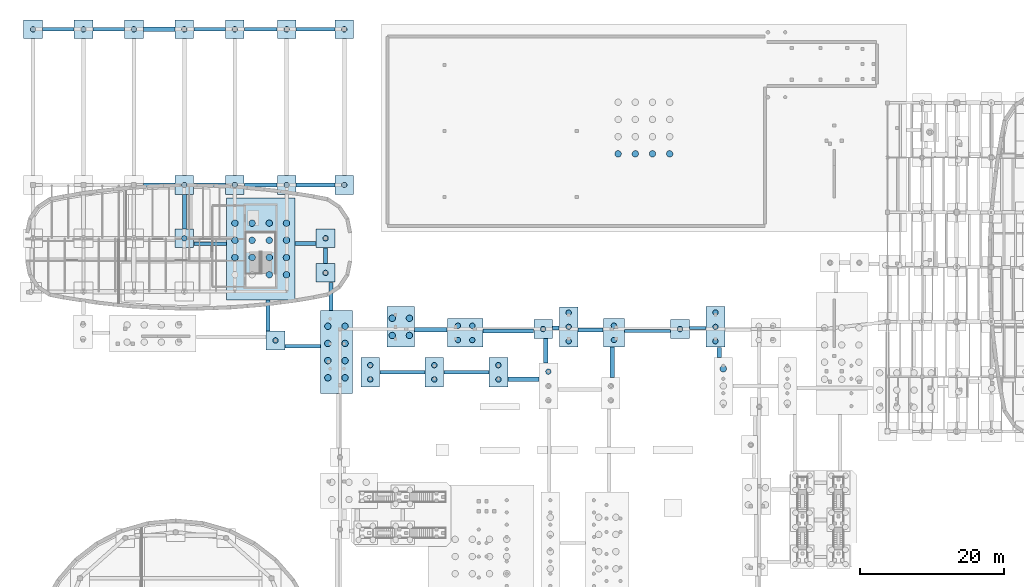
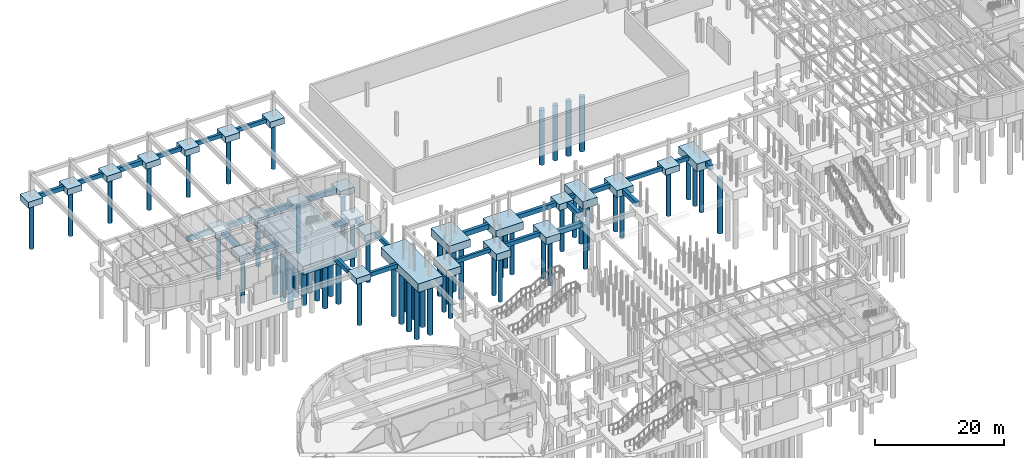
# One storey, part 5 of 45: 67 piles, 56 footings.
"""IFC4 building model written with IfcOpenShell, lengths in metres."""

from ifc_helpers import new_model, si_unit, direction, frame, origin, origin_2d, place, context, subcontext, project, spatial, rectangle, circle, extrude, material, material_profile, profile_set, type_object, element, save


model = new_model("IFC4")

# Units and contexts
model_context = context("Model", 3, precision=1e-05, world=origin(), true_north=direction((0.0, 1.0)))
body_context = subcontext(model_context, "Body", "Model", "MODEL_VIEW")
ifc_project = project(units=[si_unit("LENGTHUNIT", "METRE"), si_unit("AREAUNIT", "SQUARE_METRE"), si_unit("VOLUMEUNIT", "CUBIC_METRE"), si_unit("PLANEANGLEUNIT", "RADIAN"), si_unit("MASSUNIT", "GRAM", prefix="KILO")], contexts=[model_context])

# Site, building, storey
site_placement = place(None, origin())
site = spatial("IfcSite", under=ifc_project, at=site_placement, CompositionType="ELEMENT")
building_placement = place(site_placement, origin())
building = spatial("IfcBuilding", under=site, at=building_placement, Name="Corveleigh Park Community Centre", CompositionType="ELEMENT")
storey_placement = place(building_placement, frame((0.0, 0.0, -4.199951171875)))
storey = spatial("IfcBuildingStorey", under=building, at=storey_placement, Name="B1", CompositionType="ELEMENT", Elevation=-4.199951171875)

# Footings
ifc_material_1 = material(Name="Concrete C40/50", Category="concrete")
footing_type_1 = type_object("IfcFootingType", Name="FTG-GB-450x750", PredefinedType="FOOTING_BEAM", material=ifc_material_1)
for number, where, z_axis, x_axis, name in (
    (1, (21.699951171875, 114.39990234375, -1.1650390625), (0.0, 0.0, 1.0), (1.0, 0.0, 0.0), "Ground tie beam 21"),
    (2, (35.699951171875, 114.39990234375, -1.1650390625), (0.0, 0.0, 1.0), (1.0, 0.0, 0.0), "Ground tie beam 41"),
):
    element("IfcFooting", number, at=place(storey_placement, frame(where, z_axis=z_axis, x_axis=x_axis)), inside=storey, type_object=footing_type_1, Name=name, PredefinedType="FOOTING_BEAM", context=body_context, shape_type="SweptSolid", body=[
        extrude(rectangle(XDim=4.360107421875, YDim=0.449951171875, at=origin_2d()), origin(), (0.0, 0.0, 1.0), 0.75),
    ])
footing_1_placement = place(storey_placement, frame((42.800048828125, 114.39990234375, -1.1650390625), z_axis=(0.0, 0.0, 1.0), x_axis=(1.0, 0.0, 0.0)))
element("IfcFooting", 3, at=footing_1_placement, inside=storey, type_object=footing_type_1, Name="Ground tie beam 45", PredefinedType="FOOTING_BEAM", context=body_context, shape_type="SweptSolid", body=[
    extrude(rectangle(XDim=4.56005859375, YDim=0.449951171875, at=origin_2d()), origin(), (0.0, 0.0, 1.0), 0.75),
])
footing_2_placement = place(storey_placement, frame((50.39990234375, 114.39990234375, -1.1650390625), z_axis=(0.0, 0.0, 1.0), x_axis=(1.0, 0.0, 0.0)))
element("IfcFooting", 4, at=footing_2_placement, inside=storey, type_object=footing_type_1, Name="Ground tie beam 53", PredefinedType="FOOTING_BEAM", context=body_context, shape_type="SweptSolid", body=[
    extrude(rectangle(XDim=5.360107421875, YDim=0.449951171875, at=origin_2d()), origin(), (0.0, 0.0, 1.0), 0.75),
])
footing_3_placement = place(storey_placement, frame((62.4541015625, 66.800048828125, -1.1650390625), z_axis=(0.0, 0.0, 1.0), x_axis=(1.0, 0.0, 0.0)))
element("IfcFooting", 5, at=footing_3_placement, inside=storey, type_object=footing_type_1, Name="Ground tie beam 73", PredefinedType="FOOTING_BEAM", context=body_context, shape_type="SweptSolid", body=[
    extrude(rectangle(XDim=6.251953125, YDim=0.449951171875, at=origin_2d()), origin(), (0.0, 0.0, 1.0), 0.75),
])
footing_4_placement = place(storey_placement, frame((96.5, 72.5380859375, -1.1650390625), z_axis=(0.0, 0.0, 1.0), x_axis=(1.0, 0.0, 0.0)))
element("IfcFooting", 6, at=footing_4_placement, inside=storey, type_object=footing_type_1, Name="Ground tie beam 117", PredefinedType="FOOTING_BEAM", context=body_context, shape_type="SweptSolid", body=[
    extrude(rectangle(XDim=6.360107421875, YDim=0.449951171875, at=origin_2d()), origin(), (0.0, 0.0, 1.0), 0.75),
])
footing_5_placement = place(storey_placement, frame((103.458984375, 72.950927734375, -1.1650390625), z_axis=(0.0, 0.0, 1.0), x_axis=(1.0, 0.0, 0.0)))
element("IfcFooting", 7, at=footing_5_placement, inside=storey, type_object=footing_type_1, Name="Ground tie beam 125", PredefinedType="FOOTING_BEAM", context=body_context, shape_type="SweptSolid", body=[
    extrude(rectangle(XDim=2.279052734375, YDim=0.449951171875, at=origin_2d()), origin(), (0.0, 0.0, 1.0), 0.75),
])
footing_type_2 = type_object("IfcFootingType", Name="FTG-GB-500x800", PredefinedType="FOOTING_BEAM", material=ifc_material_1)
footing_6_placement = place(storey_placement, frame((14.699951171875, 114.39990234375, -1.21484375), z_axis=(0.0, 0.0, 1.0), x_axis=(1.0, 0.0, 0.0)))
element("IfcFooting", 8, at=footing_6_placement, inside=storey, type_object=footing_type_2, Name="Ground tie beam 6", PredefinedType="FOOTING_BEAM", context=body_context, shape_type="SweptSolid", body=[
    extrude(rectangle(XDim=4.360107421875, YDim=0.5, at=origin_2d()), origin(), (0.0, 0.0, 1.0), 0.800048828125),
])
footing_7_placement = place(storey_placement, frame((35.77490234375, 84.662109375, -1.21484375), z_axis=(0.0, 0.0, 1.0), x_axis=(1.0, 0.0, 0.0)))
element("IfcFooting", 9, at=footing_7_placement, inside=storey, type_object=footing_type_2, Name="Ground tie beam 38", PredefinedType="FOOTING_BEAM", context=body_context, shape_type="SweptSolid", body=[
    extrude(rectangle(XDim=4.510009765625, YDim=0.5, at=origin_2d()), origin(), (0.0, 0.0, 1.0), 0.800048828125),
])
footing_8_placement = place(storey_placement, frame((48.635986328125, 70.41796875, -1.21484375), z_axis=(0.0, 0.0, 1.0), x_axis=(1.0, 0.0, 0.0)))
element("IfcFooting", 10, at=footing_8_placement, inside=storey, type_object=footing_type_2, Name="Ground tie beam 50", PredefinedType="FOOTING_BEAM", context=body_context, shape_type="SweptSolid", body=[
    extrude(rectangle(XDim=4.910888671875, YDim=0.5, at=origin_2d()), origin(), (0.0, 0.0, 1.0), 0.800048828125),
])
footing_9_placement = place(storey_placement, frame((51.800048828125, 83.0, -1.21484375), z_axis=(0.0, 0.0, 1.0), x_axis=(1.0, 0.0, 0.0)))
element("IfcFooting", 11, at=footing_9_placement, inside=storey, type_object=footing_type_2, Name="Ground tie beam 54", PredefinedType="FOOTING_BEAM", context=body_context, shape_type="SweptSolid", body=[
    extrude(rectangle(XDim=0.5, YDim=2.159912109375, at=origin_2d()), origin(), (0.0, 0.0, 1.0), 0.800048828125),
])
footing_10_placement = place(storey_placement, frame((52.556884765625, 77.3369140625, -1.21484375), z_axis=(0.0, 0.0, 1.0), x_axis=(1.0, 0.0, 0.0)))
element("IfcFooting", 12, at=footing_10_placement, inside=storey, type_object=footing_type_2, Name="Ground tie beam 58", PredefinedType="FOOTING_BEAM", context=body_context, shape_type="SweptSolid", body=[
    extrude(rectangle(XDim=0.5, YDim=3.885009765625, at=origin_2d()), origin(), (0.0, 0.0, 1.0), 0.800048828125),
])
footing_11_placement = place(storey_placement, frame((71.345947265625, 66.800048828125, -1.21484375), z_axis=(0.0, 0.0, 1.0), x_axis=(1.0, 0.0, 0.0)))
element("IfcFooting", 13, at=footing_11_placement, inside=storey, type_object=footing_type_2, Name="Ground tie beam 82", PredefinedType="FOOTING_BEAM", context=body_context, shape_type="SweptSolid", body=[
    extrude(rectangle(XDim=6.251953125, YDim=0.5, at=origin_2d()), origin(), (0.0, 0.0, 1.0), 0.800048828125),
])
footing_12_placement = place(storey_placement, frame((83.77392578125, 72.949951171875, -1.21484375), z_axis=(0.0, 0.0, 1.0), x_axis=(1.0, 0.0, 0.0)))
element("IfcFooting", 14, at=footing_12_placement, inside=storey, type_object=footing_type_2, Name="Ground tie beam 102", PredefinedType="FOOTING_BEAM", context=body_context, shape_type="SweptSolid", body=[
    extrude(rectangle(XDim=0.907958984375, YDim=0.5, at=origin_2d()), origin(), (0.0, 0.0, 1.0), 0.800048828125),
])
footing_type_3 = type_object("IfcFootingType", Name="FTG-GB-550x850", PredefinedType="FOOTING_BEAM", material=ifc_material_1)
footing_13_placement = place(storey_placement, frame((28.699951171875, 92.800048828125, -1.26513671875), z_axis=(0.0, 0.0, 1.0), x_axis=(1.0, 0.0, 0.0)))
element("IfcFooting", 15, at=footing_13_placement, inside=storey, type_object=footing_type_3, Name="Ground tie beam 31", PredefinedType="FOOTING_BEAM", context=body_context, shape_type="SweptSolid", body=[
    extrude(rectangle(XDim=4.360107421875, YDim=0.550048828125, at=origin_2d()), origin(), (0.0, 0.0, 1.0), 0.85009765625),
])
footing_14_placement = place(storey_placement, frame((32.199951171875, 89.10009765625, -1.26513671875), z_axis=(0.0, 0.0, 1.0), x_axis=(1.0, 0.0, 0.0)))
element("IfcFooting", 16, at=footing_14_placement, inside=storey, type_object=footing_type_3, Name="Ground tie beam 39", PredefinedType="FOOTING_BEAM", context=body_context, shape_type="SweptSolid", body=[
    extrude(rectangle(XDim=0.550048828125, YDim=4.760009765625, at=origin_2d()), origin(), (0.0, 0.0, 1.0), 0.85009765625),
])
footing_15_placement = place(storey_placement, frame((49.02490234375, 84.662109375, -1.26513671875), z_axis=(0.0, 0.0, 1.0), x_axis=(1.0, 0.0, 0.0)))
element("IfcFooting", 17, at=footing_15_placement, inside=storey, type_object=footing_type_3, Name="Ground tie beam 43", PredefinedType="FOOTING_BEAM", context=body_context, shape_type="SweptSolid", body=[
    extrude(rectangle(XDim=2.909912109375, YDim=0.550048828125, at=origin_2d()), origin(), (0.0, 0.0, 1.0), 0.85009765625),
])
footing_16_placement = place(storey_placement, frame((43.8310546875, 74.68798828125, -1.26513671875), z_axis=(0.0, 0.0, 1.0), x_axis=(1.0, 0.0, 0.0)))
element("IfcFooting", 18, at=footing_16_placement, inside=storey, type_object=footing_type_3, Name="Ground tie beam 51", PredefinedType="FOOTING_BEAM", context=body_context, shape_type="SweptSolid", body=[
    extrude(rectangle(XDim=0.550048828125, YDim=4.284912109375, at=origin_2d()), origin(), (0.0, 0.0, 1.0), 0.85009765625),
])
footing_17_placement = place(storey_placement, frame((77.175048828125, 72.533935546875, -1.26513671875), z_axis=(0.0, 0.0, 1.0), x_axis=(1.0, 0.0, 0.0)))
element("IfcFooting", 19, at=footing_17_placement, inside=storey, type_object=footing_type_3, Name="Ground tie beam 87", PredefinedType="FOOTING_BEAM", context=body_context, shape_type="SweptSolid", body=[
    extrude(rectangle(XDim=7.010009765625, YDim=0.550048828125, at=origin_2d()), origin(), (0.0, 0.0, 1.0), 0.85009765625),
])
footing_18_placement = place(storey_placement, frame((88.59912109375, 72.68896484375, -1.26513671875), z_axis=(0.0, 0.0, 1.0), x_axis=(1.0, 0.0, 0.0)))
element("IfcFooting", 20, at=footing_18_placement, inside=storey, type_object=footing_type_3, Name="Ground tie beam 107", PredefinedType="FOOTING_BEAM", context=body_context, shape_type="SweptSolid", body=[
    extrude(rectangle(XDim=3.4619140625, YDim=0.550048828125, at=origin_2d()), origin(), (0.0, 0.0, 1.0), 0.85009765625),
])
footing_type_4 = type_object("IfcFootingType", Name="FTG-GB-600x900", PredefinedType="FOOTING_BEAM", material=ifc_material_1)
for number, where, z_axis, x_axis, name in (
    (21, (28.699951171875, 114.39990234375, -1.31494140625), (0.0, 0.0, 1.0), (1.0, 0.0, 0.0), "Ground tie beam 32"),
    (22, (35.699951171875, 92.800048828125, -1.31494140625), (0.0, 0.0, 1.0), (1.0, 0.0, 0.0), "Ground tie beam 40"),
):
    element("IfcFooting", number, at=place(storey_placement, frame(where, z_axis=z_axis, x_axis=x_axis)), inside=storey, type_object=footing_type_4, Name=name, PredefinedType="FOOTING_BEAM", context=body_context, shape_type="SweptSolid", body=[
        extrude(rectangle(XDim=4.360107421875, YDim=0.60009765625, at=origin_2d()), origin(), (0.0, 0.0, 1.0), 0.89990234375),
    ])
footing_19_placement = place(storey_placement, frame((42.800048828125, 92.800048828125, -1.31494140625), z_axis=(0.0, 0.0, 1.0), x_axis=(1.0, 0.0, 0.0)))
element("IfcFooting", 23, at=footing_19_placement, inside=storey, type_object=footing_type_4, Name="Ground tie beam 44", PredefinedType="FOOTING_BEAM", context=body_context, shape_type="SweptSolid", body=[
    extrude(rectangle(XDim=4.56005859375, YDim=0.60009765625, at=origin_2d()), origin(), (0.0, 0.0, 1.0), 0.89990234375),
])
footing_20_placement = place(storey_placement, frame((50.39990234375, 92.800048828125, -1.31494140625), z_axis=(0.0, 0.0, 1.0), x_axis=(1.0, 0.0, 0.0)))
element("IfcFooting", 24, at=footing_20_placement, inside=storey, type_object=footing_type_4, Name="Ground tie beam 52", PredefinedType="FOOTING_BEAM", context=body_context, shape_type="SweptSolid", body=[
    extrude(rectangle(XDim=5.360107421875, YDim=0.60009765625, at=origin_2d()), origin(), (0.0, 0.0, 1.0), 0.89990234375),
])
footing_21_placement = place(storey_placement, frame((66.425048828125, 72.68603515625, -1.31494140625), z_axis=(0.0, 0.0, 1.0), x_axis=(1.0, 0.0, 0.0)))
element("IfcFooting", 25, at=footing_21_placement, inside=storey, type_object=footing_type_4, Name="Ground tie beam 76", PredefinedType="FOOTING_BEAM", context=body_context, shape_type="SweptSolid", body=[
    extrude(rectangle(XDim=4.510009765625, YDim=0.60009765625, at=origin_2d()), origin(), (0.0, 0.0, 1.0), 0.89990234375),
])
footing_22_placement = place(storey_placement, frame((79.262939453125, 65.85009765625, -1.31494140625), z_axis=(0.0, 0.0, 1.0), x_axis=(1.0, 0.0, 0.0)))
element("IfcFooting", 26, at=footing_22_placement, inside=storey, type_object=footing_type_4, Name="Ground tie beam 96", PredefinedType="FOOTING_BEAM", context=body_context, shape_type="SweptSolid", body=[
    extrude(rectangle(XDim=4.302001953125, YDim=0.60009765625, at=origin_2d()), origin(), (0.0, 0.0, 1.0), 0.89990234375),
])
footing_23_placement = place(storey_placement, frame((82.366943359375, 69.782958984375, -1.31494140625), z_axis=(0.0, 0.0, 1.0), x_axis=(1.0, 0.0, 0.0)))
element("IfcFooting", 27, at=footing_23_placement, inside=storey, type_object=footing_type_4, Name="Ground tie beam 104", PredefinedType="FOOTING_BEAM", context=body_context, shape_type="SweptSolid", body=[
    extrude(rectangle(XDim=0.60009765625, YDim=3.39404296875, at=origin_2d()), origin(), (0.0, 0.0, 1.0), 0.89990234375),
])
footing_24_placement = place(storey_placement, frame((91.613037109375, 68.177001953125, -1.31494140625), z_axis=(0.0, 0.0, 1.0), x_axis=(1.0, 0.0, 0.0)))
element("IfcFooting", 28, at=footing_24_placement, inside=storey, type_object=footing_type_4, Name="Ground tie beam 116", PredefinedType="FOOTING_BEAM", context=body_context, shape_type="SweptSolid", body=[
    extrude(rectangle(XDim=0.60009765625, YDim=4.214111328125, at=origin_2d()), origin(), (0.0, 0.0, 1.0), 0.89990234375),
])
footing_25_placement = place(storey_placement, frame((106.462890625, 69.56591796875, -1.31494140625), z_axis=(0.0, 0.0, 1.0), x_axis=(1.0, 0.0, 0.0)))
element("IfcFooting", 29, at=footing_25_placement, inside=storey, type_object=footing_type_4, Name="Ground tie beam 128", PredefinedType="FOOTING_BEAM", context=body_context, shape_type="SweptSolid", body=[
    extrude(rectangle(XDim=0.60009765625, YDim=1.39111328125, at=origin_2d()), origin(), (0.0, 0.0, 1.0), 0.89990234375),
])
footing_type_5 = type_object("IfcFootingType", Name="FTG-PC-2600x2600x1150", PredefinedType="PILE_CAP", material=ifc_material_1)
for number, where, z_axis, x_axis, name in (
    (30, (11.199951171875, 114.39990234375, -1.56494140625), (0.0, 0.0, 1.0), (1.0, 0.0, 0.0), "Pile cap 4"),
    (31, (18.199951171875, 114.39990234375, -1.56494140625), (0.0, 0.0, 1.0), (1.0, 0.0, 0.0), "Pile cap 16"),
    (32, (25.199951171875, 114.39990234375, -1.56494140625), (0.0, 0.0, 1.0), (1.0, 0.0, 0.0), "Pile cap 25"),
    (33, (32.199951171875, 85.39990234375, -1.56494140625), (0.0, 0.0, 1.0), (1.0, 0.0, 0.0), "Pile cap 30"),
    (34, (32.199951171875, 92.800048828125, -1.56494140625), (0.0, 0.0, 1.0), (1.0, 0.0, 0.0), "Pile cap 31"),
    (35, (32.199951171875, 114.39990234375, -1.56494140625), (0.0, 0.0, 1.0), (1.0, 0.0, 0.0), "Pile cap 32"),
    (36, (39.199951171875, 92.800048828125, -1.56494140625), (0.0, 0.0, 1.0), (1.0, 0.0, 0.0), "Pile cap 37"),
    (37, (39.199951171875, 114.39990234375, -1.56494140625), (0.0, 0.0, 1.0), (1.0, 0.0, 0.0), "Pile cap 38"),
    (38, (44.861083984375, 71.22509765625, -1.56494140625), (0.0, 0.0, 1.0), (1.0, 0.0, 0.0), "Pile cap 42"),
    (39, (46.39990234375, 92.800048828125, -1.56494140625), (0.0, 0.0, 1.0), (1.0, 0.0, 0.0), "Pile cap 43"),
    (40, (46.39990234375, 114.39990234375, -1.56494140625), (0.0, 0.0, 1.0), (1.0, 0.0, 0.0), "Pile cap 44"),
    (41, (51.800048828125, 80.60009765625, -1.56494140625), (0.0, 0.0, 1.0), (1.0, 0.0, 0.0), "Pile cap 45"),
    (42, (51.800048828125, 85.39990234375, -1.56494140625), (0.0, 0.0, 1.0), (1.0, 0.0, 0.0), "Pile cap 46"),
    (43, (54.39990234375, 92.800048828125, -1.56494140625), (0.0, 0.0, 1.0), (1.0, 0.0, 0.0), "Pile cap 55"),
    (44, (54.39990234375, 114.39990234375, -1.56494140625), (0.0, 0.0, 1.0), (1.0, 0.0, 0.0), "Pile cap 56"),
    (45, (82.0, 72.800048828125, -1.56494140625), (0.0, 0.0, 1.0), (1.0, 0.0, 0.0), "Pile cap 83"),
    (46, (101.0, 72.800048828125, -1.56494140625), (0.0, 0.0, 1.0), (1.0, 0.0, 0.0), "Pile cap 102"),
):
    element("IfcFooting", number, at=place(storey_placement, frame(where, z_axis=z_axis, x_axis=x_axis)), inside=storey, type_object=footing_type_5, Name=name, PredefinedType="PILE_CAP", context=body_context, shape_type="SweptSolid", body=[
        extrude(rectangle(XDim=2.60009765625, YDim=2.60009765625, at=origin_2d()), origin(), (0.0, 0.0, 1.0), 1.14990234375),
    ])
footing_type_6 = type_object("IfcFootingType", Name="FTG-PC-3800x3200x1350", PredefinedType="PILE_CAP", material=ifc_material_1)
for number, where, z_axis, x_axis, name in (
    (47, (58.008056640625, 66.800048828125, -1.76513671875), (0.0, 0.0, 1.0), (1.0, 0.0, 0.0), "Pile cap 61"),
    (48, (66.89990234375, 66.800048828125, -1.76513671875), (0.0, 0.0, 1.0), (1.0, 0.0, 0.0), "Pile cap 69"),
    (49, (75.7919921875, 66.800048828125, -1.76513671875), (0.0, 0.0, 1.0), (1.0, 0.0, 0.0), "Pile cap 79"),
):
    element("IfcFooting", number, at=place(storey_placement, frame(where, z_axis=z_axis, x_axis=x_axis)), inside=storey, type_object=footing_type_6, Name=name, PredefinedType="PILE_CAP", context=body_context, shape_type="SweptSolid", body=[
        extrude(rectangle(XDim=2.60009765625, YDim=4.10009765625, at=origin_2d()), origin(), (0.0, 0.0, 1.0), 1.35009765625),
    ])
footing_26_placement = place(storey_placement, frame((91.824951171875, 72.277099609375, -1.76513671875), z_axis=(0.0, 0.0, 1.0), x_axis=(1.0, 0.0, 0.0)))
element("IfcFooting", 50, at=footing_26_placement, inside=storey, type_object=footing_type_6, Name="Pile cap 93", PredefinedType="PILE_CAP", context=body_context, shape_type="SweptSolid", body=[
    extrude(rectangle(XDim=2.949951171875, YDim=3.946044921875, at=origin_2d()), origin(), (0.0, 0.0, 1.0), 1.35009765625),
])
footing_type_7 = type_object("IfcFootingType", Name="FTG-PC-5600x3800x1450", PredefinedType="PILE_CAP", material=ifc_material_1)
footing_27_placement = place(storey_placement, frame((62.25, 73.10595703125, -1.865234375), z_axis=(0.0, 0.0, 1.0), x_axis=(1.0, 0.0, 0.0)))
element("IfcFooting", 51, at=footing_27_placement, inside=storey, type_object=footing_type_7, Name="Pile cap 64", PredefinedType="PILE_CAP", context=body_context, shape_type="SweptSolid", body=[
    extrude(rectangle(XDim=3.801025390625, YDim=5.656982421875, at=origin_2d()), origin(), (0.0, 0.0, 1.0), 1.449951171875),
])
footing_28_placement = place(storey_placement, frame((71.175048828125, 72.26708984375, -1.865234375), z_axis=(0.0, 0.0, 1.0), x_axis=(1.0, 0.0, 0.0)))
element("IfcFooting", 52, at=footing_28_placement, inside=storey, type_object=footing_type_7, Name="Pile cap 74", PredefinedType="PILE_CAP", context=body_context, shape_type="SweptSolid", body=[
    extrude(rectangle(XDim=4.949951171875, YDim=3.97802734375, at=origin_2d()), origin(), (0.0, 0.0, 1.0), 1.449951171875),
])
footing_29_placement = place(storey_placement, frame((85.548095703125, 73.10009765625, -1.865234375), z_axis=(0.0, 0.0, 1.0), x_axis=(1.0, 0.0, 0.0)))
element("IfcFooting", 53, at=footing_29_placement, inside=storey, type_object=footing_type_7, Name="Pile cap 86", PredefinedType="PILE_CAP", context=body_context, shape_type="SweptSolid", body=[
    extrude(rectangle(XDim=2.60009765625, YDim=5.592041015625, at=origin_2d()), origin(), (0.0, 0.0, 1.0), 1.449951171875),
])
footing_30_placement = place(storey_placement, frame((105.9189453125, 73.10302734375, -1.865234375), z_axis=(0.0, 0.0, 1.0), x_axis=(1.0, 0.0, 0.0)))
element("IfcFooting", 54, at=footing_30_placement, inside=storey, type_object=footing_type_7, Name="Pile cap 103", PredefinedType="PILE_CAP", context=body_context, shape_type="SweptSolid", body=[
    extrude(rectangle(XDim=2.60009765625, YDim=5.64306640625, at=origin_2d()), origin(), (0.0, 0.0, 1.0), 1.449951171875),
])
footing_type_8 = type_object("IfcFootingType", Name="FTG-PC-9800x7200x1600", PredefinedType="PILE_CAP", material=ifc_material_1)
footing_31_placement = place(storey_placement, frame((42.800048828125, 83.925048828125, -2.01513671875), z_axis=(0.0, 0.0, 1.0), x_axis=(1.0, 0.0, 0.0)))
element("IfcFooting", 55, at=footing_31_placement, inside=storey, type_object=footing_type_8, Name="Pile cap 36", PredefinedType="PILE_CAP", context=body_context, shape_type="SweptSolid", body=[
    extrude(rectangle(XDim=9.5, YDim=14.14990234375, at=origin_2d()), origin(), (0.0, 0.0, 1.0), 1.60009765625),
])
footing_32_placement = place(storey_placement, frame((53.31396484375, 69.612060546875, -2.01513671875), z_axis=(0.0, 0.0, 1.0), x_axis=(1.0, 0.0, 0.0)))
element("IfcFooting", 56, at=footing_32_placement, inside=storey, type_object=footing_type_8, Name="Pile cap 49", PredefinedType="PILE_CAP", context=body_context, shape_type="SweptSolid", body=[
    extrude(rectangle(XDim=4.405029296875, YDim=11.52490234375, at=origin_2d()), origin(), (0.0, 0.0, 1.0), 1.60009765625),
])

# Piles
ifc_material_2 = material(Name="Concrete C32/40", Category="concrete")
ifc_material_profile_1 = material_profile(ifc_material_2, circle(Radius=0.375, at=origin_2d()), Name="BORED-PILE-750", Category="concrete")
ifc_profile_set_1 = profile_set([ifc_material_profile_1], Name="Concrete C32/40")
pile_type_1 = type_object("IfcPileType", Name="PIL-BRD-750", PredefinedType="BORED", material=ifc_profile_set_1)
for number, where, z_axis, x_axis, name in (
    (57, (11.199951171875, 114.39990234375, -1.465087890625), (0.0, 0.0, -1.0), (1.0, 0.0, 0.0), "Rotary bored pile C4-1"),
    (58, (18.199951171875, 114.39990234375, -1.465087890625), (0.0, 0.0, -1.0), (1.0, 0.0, 0.0), "Rotary bored pile C16-1"),
    (59, (25.199951171875, 114.39990234375, -1.465087890625), (0.0, 0.0, -1.0), (1.0, 0.0, 0.0), "Rotary bored pile C25-1"),
    (60, (32.199951171875, 85.39990234375, -1.465087890625), (0.0, 0.0, -1.0), (1.0, 0.0, 0.0), "Rotary bored pile C30-1"),
    (61, (32.199951171875, 92.800048828125, -1.465087890625), (0.0, 0.0, -1.0), (1.0, 0.0, 0.0), "Rotary bored pile C31-1"),
    (62, (32.199951171875, 114.39990234375, -1.465087890625), (0.0, 0.0, -1.0), (1.0, 0.0, 0.0), "Rotary bored pile C32-1"),
    (63, (39.199951171875, 92.800048828125, -1.465087890625), (0.0, 0.0, -1.0), (1.0, 0.0, 0.0), "Rotary bored pile C37-1"),
    (64, (39.199951171875, 114.39990234375, -1.465087890625), (0.0, 0.0, -1.0), (1.0, 0.0, 0.0), "Rotary bored pile C38-1"),
    (65, (44.861083984375, 71.22509765625, -1.465087890625), (0.0, 0.0, -1.0), (1.0, 0.0, 0.0), "Rotary bored pile C42-1"),
    (66, (46.39990234375, 92.800048828125, -1.465087890625), (0.0, 0.0, -1.0), (1.0, 0.0, 0.0), "Rotary bored pile C43-1"),
    (67, (46.39990234375, 114.39990234375, -1.465087890625), (0.0, 0.0, -1.0), (1.0, 0.0, 0.0), "Rotary bored pile C44-1"),
    (68, (51.800048828125, 80.60009765625, -1.465087890625), (0.0, 0.0, -1.0), (1.0, 0.0, 0.0), "Rotary bored pile C45-1"),
    (69, (51.800048828125, 85.39990234375, -1.465087890625), (0.0, 0.0, -1.0), (1.0, 0.0, 0.0), "Rotary bored pile C46-1"),
    (70, (54.39990234375, 92.800048828125, -1.465087890625), (0.0, 0.0, -1.0), (1.0, 0.0, 0.0), "Rotary bored pile C55-1"),
    (71, (54.39990234375, 114.39990234375, -1.465087890625), (0.0, 0.0, -1.0), (1.0, 0.0, 0.0), "Rotary bored pile C56-1"),
):
    element("IfcPile", number, at=place(storey_placement, frame(where, z_axis=z_axis, x_axis=x_axis)), inside=storey, type_object=pile_type_1, Name=name, PredefinedType="BORED", context=body_context, shape_type="SweptSolid", body=[
        extrude(circle(Radius=0.375, at=origin_2d()), origin(), (0.0, 0.0, 1.0), 8.8349609375),
    ])
for number, where, z_axis, x_axis, name in (
    (72, (58.008056640625, 65.805908203125, -1.6650390625), (0.0, 0.0, -1.0), (1.0, 0.0, 0.0), "Rotary bored pile C61-1"),
    (73, (58.008056640625, 67.79296875, -1.6650390625), (0.0, 0.0, -1.0), (1.0, 0.0, 0.0), "Rotary bored pile C61-2"),
    (74, (66.89990234375, 65.805908203125, -1.6650390625), (0.0, 0.0, -1.0), (1.0, 0.0, 0.0), "Rotary bored pile C69-1"),
    (75, (66.89990234375, 67.79296875, -1.6650390625), (0.0, 0.0, -1.0), (1.0, 0.0, 0.0), "Rotary bored pile C69-2"),
):
    element("IfcPile", number, at=place(storey_placement, frame(where, z_axis=z_axis, x_axis=x_axis)), inside=storey, type_object=pile_type_1, Name=name, PredefinedType="BORED", context=body_context, shape_type="SweptSolid", body=[
        extrude(circle(Radius=0.375, at=origin_2d()), origin(), (0.0, 0.0, 1.0), 8.635009765625),
    ])
for number, where, z_axis, x_axis, name in (
    (76, (70.180908203125, 71.27294921875, -1.76513671875), (0.0, 0.0, -1.0), (1.0, 0.0, 0.0), "Rotary bored pile C74-1"),
    (77, (70.180908203125, 73.260009765625, -1.76513671875), (0.0, 0.0, -1.0), (1.0, 0.0, 0.0), "Rotary bored pile C74-2"),
    (78, (72.16796875, 71.27294921875, -1.76513671875), (0.0, 0.0, -1.0), (1.0, 0.0, 0.0), "Rotary bored pile C74-3"),
    (79, (72.16796875, 73.260009765625, -1.76513671875), (0.0, 0.0, -1.0), (1.0, 0.0, 0.0), "Rotary bored pile C74-4"),
):
    element("IfcPile", number, at=place(storey_placement, frame(where, z_axis=z_axis, x_axis=x_axis)), inside=storey, type_object=pile_type_1, Name=name, PredefinedType="BORED", context=body_context, shape_type="SweptSolid", body=[
        extrude(circle(Radius=0.375, at=origin_2d()), origin(), (0.0, 0.0, 1.0), 8.534912109375),
    ])
for number, where, z_axis, x_axis, name in (
    (80, (75.7919921875, 65.805908203125, -1.6650390625), (0.0, 0.0, -1.0), (1.0, 0.0, 0.0), "Rotary bored pile C79-1"),
    (81, (75.7919921875, 67.79296875, -1.6650390625), (0.0, 0.0, -1.0), (1.0, 0.0, 0.0), "Rotary bored pile C79-2"),
):
    element("IfcPile", number, at=place(storey_placement, frame(where, z_axis=z_axis, x_axis=x_axis)), inside=storey, type_object=pile_type_1, Name=name, PredefinedType="BORED", context=body_context, shape_type="SweptSolid", body=[
        extrude(circle(Radius=0.375, at=origin_2d()), origin(), (0.0, 0.0, 1.0), 8.635009765625),
    ])
pile_1_placement = place(storey_placement, frame((82.0, 72.800048828125, -1.465087890625), z_axis=(0.0, 0.0, -1.0), x_axis=(1.0, 0.0, 0.0)))
element("IfcPile", 82, at=pile_1_placement, inside=storey, type_object=pile_type_1, Name="Rotary bored pile C83-1", PredefinedType="BORED", context=body_context, shape_type="SweptSolid", body=[
    extrude(circle(Radius=0.375, at=origin_2d()), origin(), (0.0, 0.0, 1.0), 8.8349609375),
])
pile_2_placement = place(storey_placement, frame((82.73388671875, 66.886962890625, -1.81494140625), z_axis=(0.0, 0.0, -1.0), x_axis=(1.0, 0.0, 0.0)))
element("IfcPile", 83, at=pile_2_placement, inside=storey, type_object=pile_type_1, Name="Rotary bored pile C84-3", PredefinedType="BORED", context=body_context, shape_type="SweptSolid", body=[
    extrude(circle(Radius=0.375, at=origin_2d()), origin(), (0.0, 0.0, 1.0), 8.485107421875),
])
for number, where, z_axis, x_axis, name in (
    (84, (85.548095703125, 71.113037109375, -1.76513671875), (0.0, 0.0, -1.0), (1.0, 0.0, 0.0), "Rotary bored pile C86-1"),
    (85, (85.548095703125, 73.10009765625, -1.76513671875), (0.0, 0.0, -1.0), (1.0, 0.0, 0.0), "Rotary bored pile C86-2"),
    (86, (85.548095703125, 75.0869140625, -1.76513671875), (0.0, 0.0, -1.0), (1.0, 0.0, 0.0), "Rotary bored pile C86-3"),
):
    element("IfcPile", number, at=place(storey_placement, frame(where, z_axis=z_axis, x_axis=x_axis)), inside=storey, type_object=pile_type_1, Name=name, PredefinedType="BORED", context=body_context, shape_type="SweptSolid", body=[
        extrude(circle(Radius=0.375, at=origin_2d()), origin(), (0.0, 0.0, 1.0), 8.534912109375),
    ])
for number, where, z_axis, x_axis, name in (
    (87, (91.824951171875, 71.283935546875, -1.6650390625), (0.0, 0.0, -1.0), (1.0, 0.0, 0.0), "Rotary bored pile C93-1"),
    (88, (91.824951171875, 73.27001953125, -1.6650390625), (0.0, 0.0, -1.0), (1.0, 0.0, 0.0), "Rotary bored pile C93-2"),
):
    element("IfcPile", number, at=place(storey_placement, frame(where, z_axis=z_axis, x_axis=x_axis)), inside=storey, type_object=pile_type_1, Name=name, PredefinedType="BORED", context=body_context, shape_type="SweptSolid", body=[
        extrude(circle(Radius=0.375, at=origin_2d()), origin(), (0.0, 0.0, 1.0), 8.635009765625),
    ])
pile_3_placement = place(storey_placement, frame((101.0, 72.800048828125, -1.465087890625), z_axis=(0.0, 0.0, -1.0), x_axis=(1.0, 0.0, 0.0)))
element("IfcPile", 89, at=pile_3_placement, inside=storey, type_object=pile_type_1, Name="Rotary bored pile C102-1", PredefinedType="BORED", context=body_context, shape_type="SweptSolid", body=[
    extrude(circle(Radius=0.375, at=origin_2d()), origin(), (0.0, 0.0, 1.0), 8.8349609375),
])
for number, where, z_axis, x_axis, name in (
    (90, (105.9189453125, 71.115966796875, -1.76513671875), (0.0, 0.0, -1.0), (1.0, 0.0, 0.0), "Rotary bored pile C103-1"),
    (91, (105.9189453125, 73.10302734375, -1.76513671875), (0.0, 0.0, -1.0), (1.0, 0.0, 0.0), "Rotary bored pile C103-2"),
    (92, (105.9189453125, 75.090087890625, -1.76513671875), (0.0, 0.0, -1.0), (1.0, 0.0, 0.0), "Rotary bored pile C103-3"),
):
    element("IfcPile", number, at=place(storey_placement, frame(where, z_axis=z_axis, x_axis=x_axis)), inside=storey, type_object=pile_type_1, Name=name, PredefinedType="BORED", context=body_context, shape_type="SweptSolid", body=[
        extrude(circle(Radius=0.375, at=origin_2d()), origin(), (0.0, 0.0, 1.0), 8.534912109375),
    ])
ifc_material_profile_2 = material_profile(ifc_material_2, circle(Radius=0.449951171875, at=origin_2d()), Name="BORED-PILE-900", Category="concrete")
ifc_profile_set_2 = profile_set([ifc_material_profile_2], Name="Concrete C32/40")
pile_type_2 = type_object("IfcPileType", Name="PIL-BRD-900", PredefinedType="BORED", material=ifc_profile_set_2)
for number, where, z_axis, x_axis, name in (
    (93, (39.221923828125, 82.73291015625, -1.9150390625), (0.0, 0.0, -1.0), (1.0, 0.0, 0.0), "Rotary bored pile C36-2"),
    (94, (39.221923828125, 85.116943359375, -1.9150390625), (0.0, 0.0, -1.0), (1.0, 0.0, 0.0), "Rotary bored pile C36-3"),
    (95, (39.221923828125, 87.501953125, -1.9150390625), (0.0, 0.0, -1.0), (1.0, 0.0, 0.0), "Rotary bored pile C36-4"),
    (96, (41.60693359375, 82.73291015625, -1.9150390625), (0.0, 0.0, -1.0), (1.0, 0.0, 0.0), "Rotary bored pile C36-6"),
    (97, (41.60693359375, 85.116943359375, -1.9150390625), (0.0, 0.0, -1.0), (1.0, 0.0, 0.0), "Rotary bored pile C36-7"),
    (98, (41.60693359375, 87.501953125, -1.9150390625), (0.0, 0.0, -1.0), (1.0, 0.0, 0.0), "Rotary bored pile C36-8"),
    (99, (43.991943359375, 80.346923828125, -1.9150390625), (0.0, 0.0, -1.0), (1.0, 0.0, 0.0), "Rotary bored pile C36-9"),
    (100, (43.991943359375, 82.73291015625, -1.9150390625), (0.0, 0.0, -1.0), (1.0, 0.0, 0.0), "Rotary bored pile C36-10"),
    (101, (43.991943359375, 85.116943359375, -1.9150390625), (0.0, 0.0, -1.0), (1.0, 0.0, 0.0), "Rotary bored pile C36-11"),
    (102, (43.991943359375, 87.501953125, -1.9150390625), (0.0, 0.0, -1.0), (1.0, 0.0, 0.0), "Rotary bored pile C36-12"),
    (103, (46.376953125, 80.346923828125, -1.9150390625), (0.0, 0.0, -1.0), (1.0, 0.0, 0.0), "Rotary bored pile C36-13"),
    (104, (46.376953125, 82.73291015625, -1.9150390625), (0.0, 0.0, -1.0), (1.0, 0.0, 0.0), "Rotary bored pile C36-14"),
    (105, (46.376953125, 85.116943359375, -1.9150390625), (0.0, 0.0, -1.0), (1.0, 0.0, 0.0), "Rotary bored pile C36-15"),
    (106, (46.376953125, 87.501953125, -1.9150390625), (0.0, 0.0, -1.0), (1.0, 0.0, 0.0), "Rotary bored pile C36-16"),
    (107, (52.12109375, 66.033935546875, -1.9150390625), (0.0, 0.0, -1.0), (1.0, 0.0, 0.0), "Rotary bored pile C49-1"),
    (108, (52.12109375, 68.4189453125, -1.9150390625), (0.0, 0.0, -1.0), (1.0, 0.0, 0.0), "Rotary bored pile C49-2"),
    (109, (52.12109375, 70.803955078125, -1.9150390625), (0.0, 0.0, -1.0), (1.0, 0.0, 0.0), "Rotary bored pile C49-3"),
    (110, (52.12109375, 73.18896484375, -1.9150390625), (0.0, 0.0, -1.0), (1.0, 0.0, 0.0), "Rotary bored pile C49-4"),
    (111, (54.506103515625, 66.033935546875, -1.9150390625), (0.0, 0.0, -1.0), (1.0, 0.0, 0.0), "Rotary bored pile C49-5"),
    (112, (54.506103515625, 68.4189453125, -1.9150390625), (0.0, 0.0, -1.0), (1.0, 0.0, 0.0), "Rotary bored pile C49-6"),
    (113, (54.506103515625, 70.803955078125, -1.9150390625), (0.0, 0.0, -1.0), (1.0, 0.0, 0.0), "Rotary bored pile C49-7"),
    (114, (54.506103515625, 73.18896484375, -1.9150390625), (0.0, 0.0, -1.0), (1.0, 0.0, 0.0), "Rotary bored pile C49-8"),
    (115, (92.412109375, 97.123046875, -1.9150390625), (0.0, 0.0, -1.0), (1.0, 0.0, 0.0), "Rotary bored pile C63-1"),
    (116, (94.797119140625, 97.123046875, -1.9150390625), (0.0, 0.0, -1.0), (1.0, 0.0, 0.0), "Rotary bored pile C63-5"),
    (117, (97.180908203125, 97.123046875, -1.9150390625), (0.0, 0.0, -1.0), (1.0, 0.0, 0.0), "Rotary bored pile C63-9"),
    (118, (99.56689453125, 97.123046875, -1.9150390625), (0.0, 0.0, -1.0), (1.0, 0.0, 0.0), "Rotary bored pile C63-13"),
):
    element("IfcPile", number, at=place(storey_placement, frame(where, z_axis=z_axis, x_axis=x_axis)), inside=storey, type_object=pile_type_2, Name=name, PredefinedType="BORED", context=body_context, shape_type="SweptSolid", body=[
        extrude(circle(Radius=0.449951171875, at=origin_2d()), origin(), (0.0, 0.0, 1.0), 10.385009765625),
    ])
for number, where, z_axis, x_axis, name in (
    (119, (61.056884765625, 71.9130859375, -1.76513671875), (0.0, 0.0, -1.0), (1.0, 0.0, 0.0), "Rotary bored pile C64-1"),
    (120, (61.056884765625, 74.299072265625, -1.76513671875), (0.0, 0.0, -1.0), (1.0, 0.0, 0.0), "Rotary bored pile C64-2"),
    (121, (63.44189453125, 71.9130859375, -1.76513671875), (0.0, 0.0, -1.0), (1.0, 0.0, 0.0), "Rotary bored pile C64-3"),
    (122, (63.44189453125, 74.299072265625, -1.76513671875), (0.0, 0.0, -1.0), (1.0, 0.0, 0.0), "Rotary bored pile C64-4"),
):
    element("IfcPile", number, at=place(storey_placement, frame(where, z_axis=z_axis, x_axis=x_axis)), inside=storey, type_object=pile_type_2, Name=name, PredefinedType="BORED", context=body_context, shape_type="SweptSolid", body=[
        extrude(circle(Radius=0.449951171875, at=origin_2d()), origin(), (0.0, 0.0, 1.0), 10.534912109375),
    ])
pile_4_placement = place(storey_placement, frame((107.008056640625, 67.284912109375, -1.864990234375), z_axis=(0.0, 0.0, -1.0), x_axis=(1.0, 0.0, 0.0)))
element("IfcPile", 123, at=pile_4_placement, inside=storey, type_object=pile_type_2, Name="Rotary bored pile C104-3", PredefinedType="BORED", context=body_context, shape_type="SweptSolid", body=[
    extrude(circle(Radius=0.449951171875, at=origin_2d()), origin(), (0.0, 0.0, 1.0), 10.43505859375),
])

save(model, "model.ifc")
